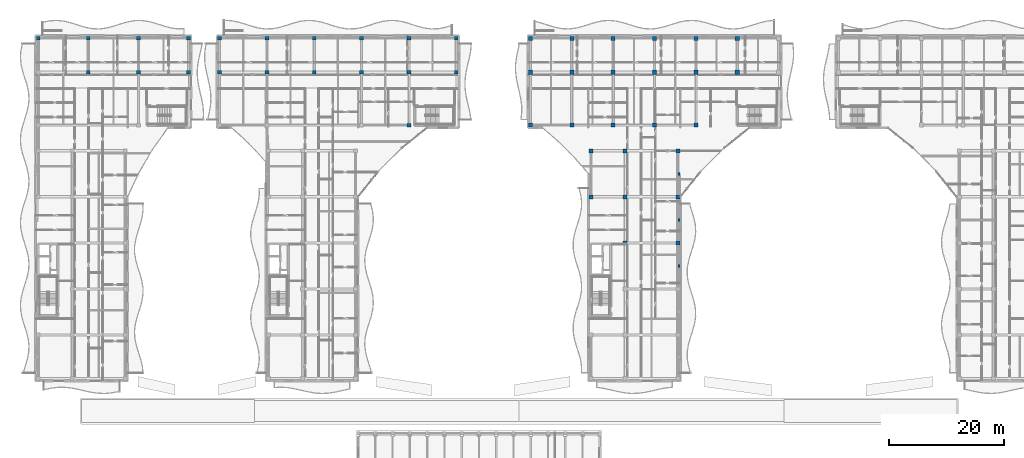
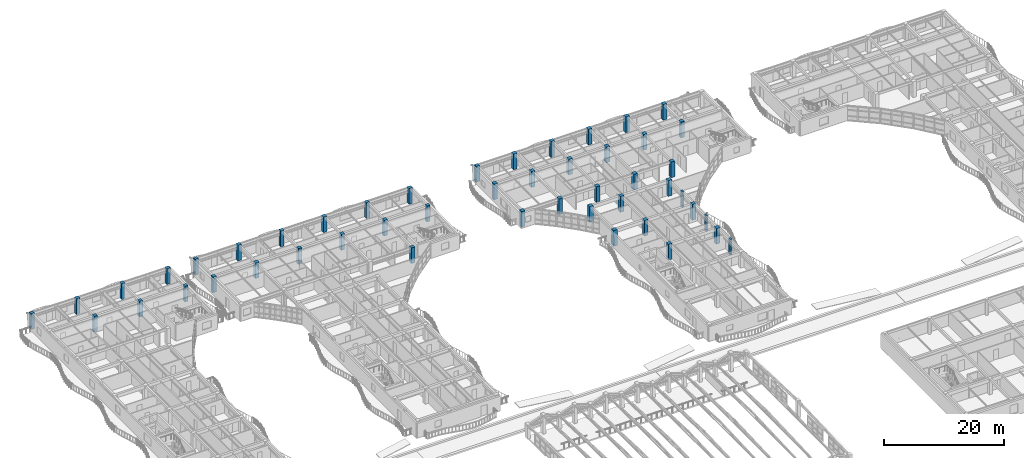
# One storey, part 2 of 128: 48 columns.
"""IFC4 building model written with IfcOpenShell, lengths in metres."""

import ifcopenshell
import ifcopenshell.guid

model = None  # the IFC model being written
_history = None  # IfcOwnerHistory: only IFC2X3 demands one
_inside = {}  # id of a spatial element -> (the spatial element, [elements in it])
_under = {}  # id of a project, library or spatial element -> (it, [spatial elements below it])
_declared = {}  # id of a project -> (the project, [libraries it declares])
_typed = {}  # id of a type object -> (the type object, [elements of that type])
_made_of = {}  # id of a material, layer set ... -> (it, [elements and type objects made of it])


def new_model(schema):
    """Start an empty IFC model of exactly this schema.

    Asked for "IFC4X3", IfcOpenShell would pick the latest addendum, in which some entities
    have other attributes; the version numbers below select the first issue.
    IFC2X3 requires an IfcOwnerHistory on every rooted entity: one is made here for all.
    """
    global model, _history
    if schema == "IFC4X3":
        model = ifcopenshell.file(schema_version=(4, 3, 0, 0))
    else:
        model = ifcopenshell.file(schema=schema)
    _inside.clear()
    _under.clear()
    _declared.clear()
    _typed.clear()
    _made_of.clear()
    _history = None
    if model.schema == "IFC2X3":
        org = make("IfcOrganization", Name="unknown")
        user = make(
            "IfcPersonAndOrganization",
            ThePerson=make("IfcPerson", FamilyName="unknown"),
            TheOrganization=org,
        )
        app = make(
            "IfcApplication",
            ApplicationDeveloper=org,
            Version="unknown",
            ApplicationFullName="unknown",
            ApplicationIdentifier="unknown",
        )
        _history = make(
            "IfcOwnerHistory",
            OwningUser=user,
            OwningApplication=app,
            ChangeAction="ADDED",
            CreationDate=0,
        )
    return model


def make(cls, **values):
    """One entity of the class cls with the attributes given. An attribute that is None is left unset."""
    return model.create_entity(
        cls, **{name: value for name, value in values.items() if value is not None}
    )


def rooted(cls, **values):
    """An entity with a GlobalId (a new one), such as an element, a storey or a relation."""
    return make(cls, GlobalId=ifcopenshell.guid.new(), OwnerHistory=_history, **values)


def si_unit(unit_type, name, prefix=None):
    """IfcSIUnit, for example si_unit("LENGTHUNIT", "METRE", prefix="MILLI")."""
    return make("IfcSIUnit", UnitType=unit_type, Prefix=prefix, Name=name)


def assignment(units):
    """IfcUnitAssignment: the units of a project."""
    return None if units is None else make("IfcUnitAssignment", Units=units)


def point(xyz):
    """IfcCartesianPoint."""
    return None if xyz is None else make("IfcCartesianPoint", Coordinates=xyz)


def direction(xyz):
    """IfcDirection."""
    return None if xyz is None else make("IfcDirection", DirectionRatios=xyz)


def frame(location, z_axis=None, x_axis=None):
    """IfcAxis2Placement3D, a coordinate frame: its origin and axes. An axis left out is left unset."""
    return make(
        "IfcAxis2Placement3D",
        Location=point(location),
        Axis=direction(z_axis),
        RefDirection=direction(x_axis),
    )


def frame_2d(location, x_axis=None):
    """IfcAxis2Placement2D, a coordinate frame in the plane: its origin and x axis."""
    return make(
        "IfcAxis2Placement2D", Location=point(location), RefDirection=direction(x_axis)
    )


def origin():
    """The frame at (0, 0, 0) with its axes left unset."""
    return frame((0.0, 0.0, 0.0))


def origin_2d():
    """The frame at (0, 0) in the plane with its x axis left unset."""
    return frame_2d((0.0, 0.0))


def place(relative_to, where):
    """IfcLocalPlacement: puts the frame where relative to a parent placement (None: the world)."""
    return make(
        "IfcLocalPlacement", PlacementRelTo=relative_to, RelativePlacement=where
    )


def context(
    kind, dimensions, precision=None, world=None, true_north=None, identifier=None
):
    """IfcGeometricRepresentationContext, for example the 3D "Model" context."""
    return make(
        "IfcGeometricRepresentationContext",
        ContextIdentifier=identifier,
        ContextType=kind,
        CoordinateSpaceDimension=dimensions,
        Precision=precision,
        WorldCoordinateSystem=world,
        TrueNorth=true_north,
    )


def subcontext(parent, identifier, kind, view, scale=None):
    """IfcGeometricRepresentationSubContext, for example "Body" below "Model"."""
    return make(
        "IfcGeometricRepresentationSubContext",
        ContextIdentifier=identifier,
        ContextType=kind,
        ParentContext=parent,
        TargetScale=scale,
        TargetView=view,
    )


def project(units=None, contexts=None):
    """IfcProject with its units and contexts."""
    return rooted(
        "IfcProject",
        Name="project",
        RepresentationContexts=contexts,
        UnitsInContext=assignment(units),
    )


def spatial(cls, under=None, at=None, **own):
    """A site, building, storey or space (cls), placed at a placement, below another one or the project."""
    s = rooted(cls, ObjectPlacement=at, **own)
    if under is not None:
        _under.setdefault(under.id(), (under, []))[1].append(s)
    return s


def profile(cls, at=None, kind="AREA", **sizes):
    """A parametric profile (cls). Its sizes go by their IFC names, for example OverallWidth=200.0."""
    return make(cls, ProfileType=kind, Position=at, **sizes)


def rectangle(**sizes):
    """IfcRectangleProfileDef."""
    return profile("IfcRectangleProfileDef", **sizes)


def extrude(swept, where, along, depth):
    """IfcExtrudedAreaSolid: the profile swept, set in the frame where, extruded along a direction by depth."""
    return make(
        "IfcExtrudedAreaSolid",
        SweptArea=swept,
        Position=where,
        ExtrudedDirection=direction(along),
        Depth=depth,
    )


def shape(context_of_items, identifier, shape_type, items):
    """IfcShapeRepresentation: the items that make up one representation, for example the "Body"."""
    return make(
        "IfcShapeRepresentation",
        ContextOfItems=context_of_items,
        RepresentationIdentifier=identifier,
        RepresentationType=shape_type,
        Items=items,
    )


def material(Name=None, Category=None):
    """IfcMaterial."""
    return make("IfcMaterial", Name=Name, Category=Category)


def material_profile(
    of_material, cross_section, Name=None, Category=None, Priority=None
):
    """IfcMaterialProfile: a cross section and its material."""
    return make(
        "IfcMaterialProfile",
        Name=Name,
        Material=of_material,
        Profile=cross_section,
        Priority=Priority,
        Category=Category,
    )


def profile_set(profiles, Name=None, composite=None):
    """IfcMaterialProfileSet."""
    return make(
        "IfcMaterialProfileSet",
        Name=Name,
        MaterialProfiles=profiles,
        CompositeProfile=composite,
    )


def made_of(thing, what):
    """Note that an element or type object is made of a material, layer set ...; save() writes the relation."""
    if what is not None:
        _made_of.setdefault(what.id(), (what, []))[1].append(thing)
    return thing


def type_object(cls, material=None, **own):
    """A type object (cls), such as IfcWallType, which elements share."""
    return made_of(rooted(cls, **own), material)


def element(
    cls,
    number,
    at=None,
    inside=None,
    cuts=None,
    type_object=None,
    material=None,
    context=None,
    identifier="Body",
    shape_type=None,
    held_by="IfcProductDefinitionShape",
    body=None,
    shapes=None,
    **own,
):
    """One element of the class cls, such as IfcWall. Its Tag is "e" and its number.

    at: its placement. inside: the storey or other place that contains it. cuts: it is an
    opening in that element (IfcRelVoidsElement). A single representation is given by context,
    identifier, shape_type and body (its items); several are given by shapes. held_by: the class
    of the entity that holds the representations. save() writes the other relations.
    """
    e = rooted(cls, Tag="e%d" % number, ObjectPlacement=at, **own)
    if body is not None:
        shapes = [shape(context, identifier, shape_type, body)]
    if shapes is not None:
        e.Representation = make(held_by, Representations=shapes)
    if inside is not None:
        _inside.setdefault(inside.id(), (inside, []))[1].append(e)
    if cuts is not None:
        rooted(
            "IfcRelVoidsElement", RelatingBuildingElement=cuts, RelatedOpeningElement=e
        )
    if type_object is not None:
        _typed.setdefault(type_object.id(), (type_object, []))[1].append(e)
    return made_of(e, material)


def aggregate(whole, parts):
    """IfcRelAggregates: a whole, such as a stair, and the parts it consists of."""
    return rooted("IfcRelAggregates", RelatingObject=whole, RelatedObjects=parts)


def save(model, path):
    """Write the relations noted so far, then the file.

    IfcRelAggregates (storeys below a building ...), IfcRelContainedInSpatialStructure (elements
    in a storey), IfcRelDefinesByType, IfcRelAssociatesMaterial and IfcRelDeclares: one each for
    every whole, place, type object, material and project.
    """
    for whole, parts in _under.values():
        aggregate(whole, parts)
    for where, things in _inside.values():
        rooted(
            "IfcRelContainedInSpatialStructure",
            RelatedElements=things,
            RelatingStructure=where,
        )
    for kind, things in _typed.values():
        rooted("IfcRelDefinesByType", RelatedObjects=things, RelatingType=kind)
    for what, things in _made_of.values():
        rooted("IfcRelAssociatesMaterial", RelatedObjects=things, RelatingMaterial=what)
    for by, libraries in _declared.values():
        rooted("IfcRelDeclares", RelatingContext=by, RelatedDefinitions=libraries)
    model.write(path)


model = new_model("IFC4")

# Units and contexts
model_context = context("Model", 3, precision=1e-05, world=origin(), true_north=direction((0.0, 1.0)))
body_context = subcontext(model_context, "Body", "Model", "MODEL_VIEW")
ifc_project = project(units=[si_unit("LENGTHUNIT", "METRE"), si_unit("AREAUNIT", "SQUARE_METRE"), si_unit("VOLUMEUNIT", "CUBIC_METRE"), si_unit("PLANEANGLEUNIT", "RADIAN"), si_unit("MASSUNIT", "GRAM", prefix="KILO")], contexts=[model_context])

# Site, building, storey
site_placement = place(None, origin())
site = spatial("IfcSite", under=ifc_project, at=site_placement, CompositionType="ELEMENT")
building_placement = place(site_placement, origin())
building = spatial("IfcBuilding", under=site, at=building_placement, Name="Keldmere Railside Commons", CompositionType="ELEMENT")
storey_placement = place(building_placement, frame((0.0, 0.0, 4.159912109375)))
storey = spatial("IfcBuildingStorey", under=building, at=storey_placement, Name="L01", CompositionType="ELEMENT", Elevation=4.159912109375)

# Columns
ifc_material_1 = material(Name="Architectural Precast Concrete H-35 (C35/45)", Category="concrete")
ifc_material_profile_1 = material_profile(ifc_material_1, rectangle(XDim=0.35009765625, YDim=0.550048828125, at=origin_2d()), Name="RC-350x550")
ifc_profile_set_1 = profile_set([ifc_material_profile_1], Name="Architectural Precast Concrete H-35 (C35/45)")
column_type_1 = type_object("IfcColumnType", Name="Facade Precast Pilaster Column 350x550", PredefinedType="PILASTER", material=ifc_profile_set_1)
for number, where, z_axis, x_axis, name in (
    (1, (119.780029296875, 76.0, 0.0), (0.0, 0.0, 1.0), (1.0, 0.0, 0.0), "C-PIL COL-L01-1216"),
    (2, (119.780029296875, 84.0, 0.0), (0.0, 0.0, 1.0), (1.0, 0.0, 0.0), "C-PIL COL-L01-1221"),
    (3, (119.780029296875, 92.0, 0.0), (0.0, 0.0, 1.0), (1.0, 0.0, 0.0), "C-PIL COL-L01-1226"),
):
    element("IfcColumn", number, at=place(storey_placement, frame(where, z_axis=z_axis, x_axis=x_axis)), inside=storey, type_object=column_type_1, Name=name, PredefinedType="PILASTER", context=body_context, shape_type="SweptSolid", body=[
        extrude(rectangle(XDim=0.35009765625, YDim=0.550048828125, at=origin_2d()), origin(), (0.0, 0.0, 1.0), 3.2001953125),
    ])
ifc_material_2 = material(Name="Concrete H-40 (C40/50)", Category="concrete")
ifc_material_profile_2 = material_profile(ifc_material_2, rectangle(XDim=0.699951171875, YDim=0.699951171875, at=origin_2d()), Name="RC-700x700")
ifc_profile_set_2 = profile_set([ifc_material_profile_2], Name="Concrete H-40 (C40/50)")
column_type_2 = type_object("IfcColumnType", Name="Lower Residential RC Column 700x700", PredefinedType="COLUMN", material=ifc_profile_set_2)
for number, where, z_axis, x_axis, name in (
    (4, (93.949951171875, 100.449951171875, 0.0), (0.0, 0.0, 1.0), (1.0, 0.0, 0.0), "C-700 COL-L01-0811"),
    (5, (93.949951171875, 109.64990234375, 0.0), (0.0, 0.0, 1.0), (1.0, 0.0, 0.0), "C-700 COL-L01-0825"),
    (6, (93.949951171875, 115.550048828125, 0.0), (0.0, 0.0, 1.0), (1.0, 0.0, 0.0), "C-700 COL-L01-0838"),
    (7, (101.133056640625, 100.449951171875, 0.0), (0.0, 0.0, 1.0), (1.0, 0.0, 0.0), "C-700 COL-L01-0880"),
    (8, (101.133056640625, 109.64990234375, 0.0), (0.0, 0.0, 1.0), (1.0, 0.0, 0.0), "C-700 COL-L01-0894"),
    (9, (101.133056640625, 115.550048828125, 0.0), (0.0, 0.0, 1.0), (1.0, 0.0, 0.0), "C-700 COL-L01-0907"),
    (10, (104.449951171875, 88.0, 0.0), (0.0, 0.0, 1.0), (1.0, 0.0, 0.0), "C-700 COL-L01-0943"),
    (11, (104.449951171875, 96.0, 0.0), (0.0, 0.0, 1.0), (1.0, 0.0, 0.0), "C-700 COL-L01-0956"),
    (12, (108.31689453125, 100.449951171875, 0.0), (0.0, 0.0, 1.0), (1.0, 0.0, 0.0), "C-700 COL-L01-0980"),
    (13, (108.31689453125, 109.64990234375, 0.0), (0.0, 0.0, 1.0), (1.0, 0.0, 0.0), "C-700 COL-L01-0994"),
    (14, (108.31689453125, 115.550048828125, 0.0), (0.0, 0.0, 1.0), (1.0, 0.0, 0.0), "C-700 COL-L01-1007"),
    (15, (110.35009765625, 80.0, 0.0), (0.0, 0.0, 1.0), (1.0, 0.0, 0.0), "C-700 COL-L01-1050"),
    (16, (110.35009765625, 88.0, 0.0), (0.0, 0.0, 1.0), (1.0, 0.0, 0.0), "C-700 COL-L01-1063"),
    (17, (110.35009765625, 96.0, 0.0), (0.0, 0.0, 1.0), (1.0, 0.0, 0.0), "C-700 COL-L01-1076"),
    (18, (115.5, 100.449951171875, 0.0), (0.0, 0.0, 1.0), (1.0, 0.0, 0.0), "C-700 COL-L01-1097"),
    (19, (115.5, 109.64990234375, 0.0), (0.0, 0.0, 1.0), (1.0, 0.0, 0.0), "C-700 COL-L01-1111"),
    (20, (115.5, 115.550048828125, 0.0), (0.0, 0.0, 1.0), (1.0, 0.0, 0.0), "C-700 COL-L01-1124"),
    (21, (119.550048828125, 80.0, 0.0), (0.0, 0.0, 1.0), (1.0, 0.0, 0.0), "C-700 COL-L01-1167"),
    (22, (119.550048828125, 88.0, 0.0), (0.0, 0.0, 1.0), (1.0, 0.0, 0.0), "C-700 COL-L01-1180"),
    (23, (119.550048828125, 96.0, 0.0), (0.0, 0.0, 1.0), (1.0, 0.0, 0.0), "C-700 COL-L01-1193"),
    (24, (122.68310546875, 100.449951171875, 0.0), (0.0, 0.0, 1.0), (1.0, 0.0, 0.0), "C-700 COL-L01-1235"),
    (25, (122.68310546875, 109.64990234375, 0.0), (0.0, 0.0, 1.0), (1.0, 0.0, 0.0), "C-700 COL-L01-1249"),
    (26, (122.68310546875, 115.550048828125, 0.0), (0.0, 0.0, 1.0), (1.0, 0.0, 0.0), "C-700 COL-L01-1262"),
    (27, (129.866943359375, 109.64990234375, 0.0), (0.0, 0.0, 1.0), (1.0, 0.0, 0.0), "C-700 COL-L01-1294"),
    (28, (129.866943359375, 115.550048828125, 0.0), (0.0, 0.0, 1.0), (1.0, 0.0, 0.0), "C-700 COL-L01-1307"),
):
    element("IfcColumn", number, at=place(storey_placement, frame(where, z_axis=z_axis, x_axis=x_axis)), inside=storey, type_object=column_type_2, Name=name, PredefinedType="COLUMN", context=body_context, shape_type="SweptSolid", body=[
        extrude(rectangle(XDim=0.699951171875, YDim=0.699951171875, at=origin_2d()), origin(), (0.0, 0.0, 1.0), 3.2001953125),
    ])
ifc_material_profile_3 = material_profile(ifc_material_2, rectangle(XDim=0.64990234375, YDim=0.64990234375, at=origin_2d()), Name="RC-650x650")
ifc_profile_set_3 = profile_set([ifc_material_profile_3], Name="Concrete H-40 (C40/50)")
column_type_3 = type_object("IfcColumnType", Name="Podium RC Column 650x650", PredefinedType="COLUMN", material=ifc_profile_set_3)
for number, where, z_axis, x_axis, name in (
    (29, (8.449951171875, 115.550048828125, 0.0), (0.0, 0.0, 1.0), (1.0, 0.0, 0.0), "C-650 COL-L01-0092"),
    (30, (17.14990234375, 109.64990234375, 0.0), (0.0, 0.0, 1.0), (1.0, 0.0, 0.0), "C-650 COL-L01-0167"),
    (31, (17.14990234375, 115.550048828125, 0.0), (0.0, 0.0, 1.0), (1.0, 0.0, 0.0), "C-650 COL-L01-0176"),
    (32, (25.85009765625, 109.64990234375, 0.0), (0.0, 0.0, 1.0), (1.0, 0.0, 0.0), "C-650 COL-L01-0258"),
    (33, (25.85009765625, 115.550048828125, 0.0), (0.0, 0.0, 1.0), (1.0, 0.0, 0.0), "C-650 COL-L01-0267"),
    (34, (34.550048828125, 109.64990234375, 0.0), (0.0, 0.0, 1.0), (1.0, 0.0, 0.0), "C-650 COL-L01-0302"),
    (35, (34.550048828125, 115.550048828125, 0.0), (0.0, 0.0, 1.0), (1.0, 0.0, 0.0), "C-650 COL-L01-0311"),
    (36, (39.949951171875, 109.64990234375, 0.0), (0.0, 0.0, 1.0), (1.0, 0.0, 0.0), "C-650 COL-L01-0349"),
    (37, (39.949951171875, 115.550048828125, 0.0), (0.0, 0.0, 1.0), (1.0, 0.0, 0.0), "C-650 COL-L01-0360"),
    (38, (48.169921875, 109.64990234375, 0.0), (0.0, 0.0, 1.0), (1.0, 0.0, 0.0), "C-650 COL-L01-0399"),
    (39, (48.169921875, 115.550048828125, 0.0), (0.0, 0.0, 1.0), (1.0, 0.0, 0.0), "C-650 COL-L01-0410"),
    (40, (56.389892578125, 109.64990234375, 0.0), (0.0, 0.0, 1.0), (1.0, 0.0, 0.0), "C-650 COL-L01-0541"),
    (41, (56.389892578125, 115.550048828125, 0.0), (0.0, 0.0, 1.0), (1.0, 0.0, 0.0), "C-650 COL-L01-0552"),
    (42, (64.610107421875, 109.64990234375, 0.0), (0.0, 0.0, 1.0), (1.0, 0.0, 0.0), "C-650 COL-L01-0653"),
    (43, (64.610107421875, 115.550048828125, 0.0), (0.0, 0.0, 1.0), (1.0, 0.0, 0.0), "C-650 COL-L01-0664"),
    (44, (72.830078125, 100.449951171875, 0.0), (0.0, 0.0, 1.0), (1.0, 0.0, 0.0), "C-650 COL-L01-0686"),
    (45, (72.830078125, 109.64990234375, 0.0), (0.0, 0.0, 1.0), (1.0, 0.0, 0.0), "C-650 COL-L01-0698"),
    (46, (72.830078125, 115.550048828125, 0.0), (0.0, 0.0, 1.0), (1.0, 0.0, 0.0), "C-650 COL-L01-0709"),
    (47, (81.050048828125, 109.64990234375, 0.0), (0.0, 0.0, 1.0), (1.0, 0.0, 0.0), "C-650 COL-L01-0751"),
    (48, (81.050048828125, 115.550048828125, 0.0), (0.0, 0.0, 1.0), (1.0, 0.0, 0.0), "C-650 COL-L01-0762"),
):
    element("IfcColumn", number, at=place(storey_placement, frame(where, z_axis=z_axis, x_axis=x_axis)), inside=storey, type_object=column_type_3, Name=name, PredefinedType="COLUMN", context=body_context, shape_type="SweptSolid", body=[
        extrude(rectangle(XDim=0.64990234375, YDim=0.64990234375, at=origin_2d()), origin(), (0.0, 0.0, 1.0), 3.2001953125),
    ])

save(model, "model.ifc")
